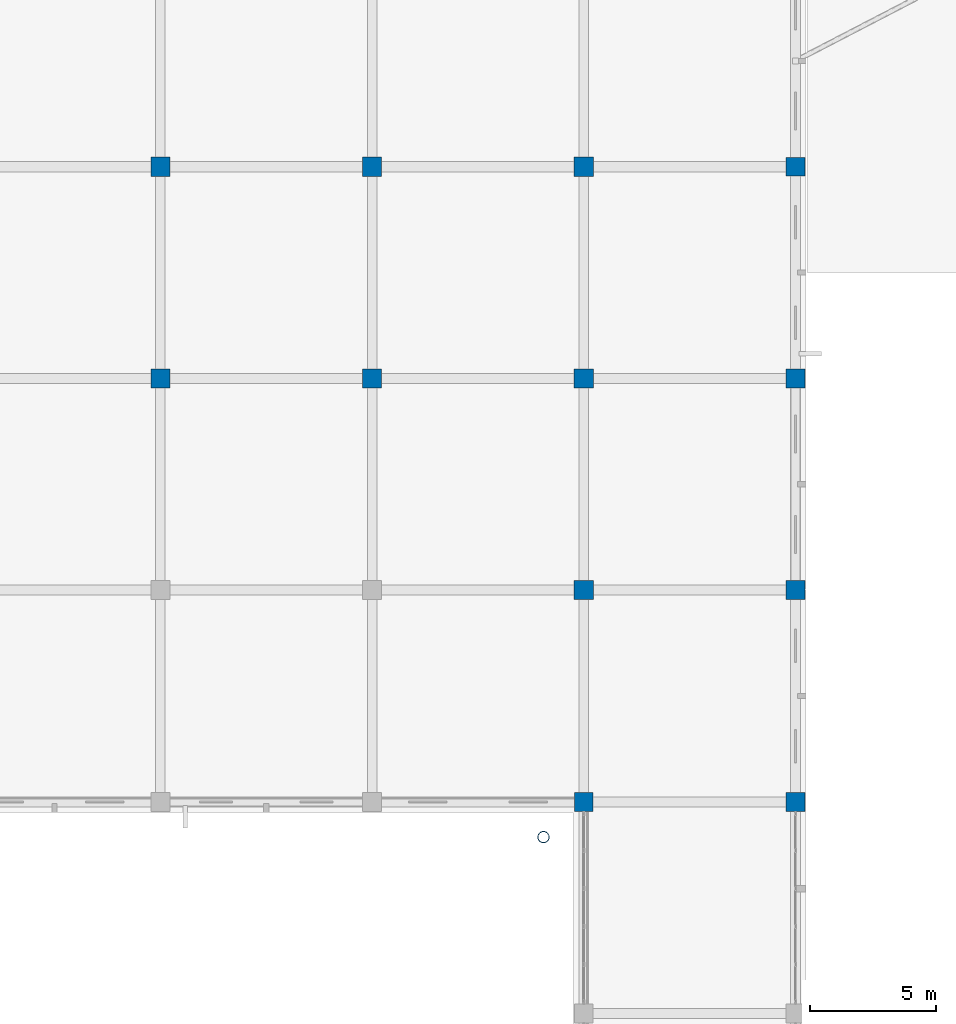
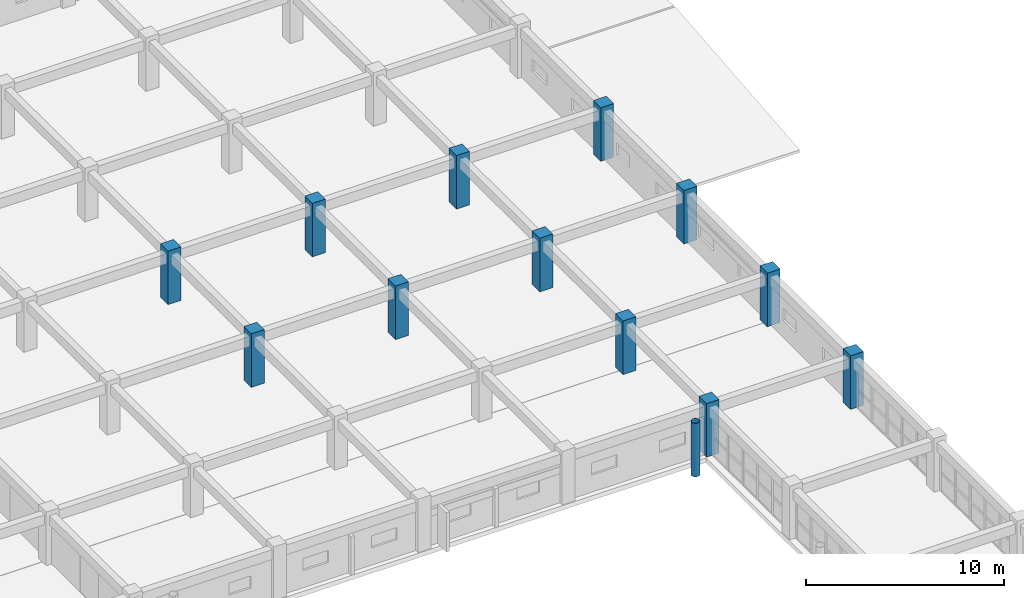
# One storey, part 26 of 200: 13 columns.
"""IFC4 building model written with IfcOpenShell, lengths in metres."""

from ifc_helpers import new_model, si_unit, direction, frame, origin, origin_2d, place, context, subcontext, project, spatial, rectangle, hollow_circle, extrude, material, material_profile, profile_set, type_object, element, save


model = new_model("IFC4")

# Units and contexts
model_context = context("Model", 3, precision=1e-05, world=origin(), true_north=direction((0.0, 1.0)))
body_context = subcontext(model_context, "Body", "Model", "MODEL_VIEW")
ifc_project = project(units=[si_unit("LENGTHUNIT", "METRE"), si_unit("AREAUNIT", "SQUARE_METRE"), si_unit("VOLUMEUNIT", "CUBIC_METRE"), si_unit("PLANEANGLEUNIT", "RADIAN"), si_unit("MASSUNIT", "GRAM", prefix="KILO")], contexts=[model_context])

# Site, building, storey
site_placement = place(None, origin())
site = spatial("IfcSite", under=ifc_project, at=site_placement, CompositionType="ELEMENT")
building_placement = place(site_placement, origin())
building = spatial("IfcBuilding", under=site, at=building_placement, Name="Trelvath General Hospital", CompositionType="ELEMENT")
storey_placement = place(building_placement, frame((0.0, 0.0, 4.800048828125)))
storey = spatial("IfcBuildingStorey", under=building, at=storey_placement, Name="L01", CompositionType="ELEMENT", Elevation=4.800048828125)

# Columns
ifc_material_1 = material(Name="Concrete C40/50", Category="concrete")
ifc_material_profile_1 = material_profile(ifc_material_1, rectangle(XDim=0.75, YDim=0.75, at=origin_2d()), Name="RC750x750")
ifc_profile_set_1 = profile_set([ifc_material_profile_1], Name="Concrete C40/50")
column_type_1 = type_object("IfcColumnType", Name="Column RC750", PredefinedType="COLUMN", material=ifc_profile_set_1)
for number, where, z_axis, x_axis, name in (
    (1, (176.39990234375, 67.199951171875, 0.0), (0.0, 0.0, 1.0), (1.0, 0.0, 0.0), "Column C-22I L01"),
    (2, (184.800048828125, 67.199951171875, 0.0), (0.0, 0.0, 1.0), (1.0, 0.0, 0.0), "Column C-23I L01"),
    (3, (184.800048828125, 75.60009765625, 0.0), (0.0, 0.0, 1.0), (1.0, 0.0, 0.0), "Column C-23J L01"),
    (4, (184.800048828125, 84.0, 0.0), (0.0, 0.0, 1.0), (1.0, 0.0, 0.0), "Column C-23K L01"),
    (5, (184.800048828125, 92.39990234375, 0.0), (0.0, 0.0, 1.0), (1.0, 0.0, 0.0), "Column C-23L L01"),
):
    element("IfcColumn", number, at=place(storey_placement, frame(where, z_axis=z_axis, x_axis=x_axis)), inside=storey, type_object=column_type_1, Name=name, PredefinedType="COLUMN", context=body_context, shape_type="SweptSolid", body=[
        extrude(rectangle(XDim=0.75, YDim=0.75, at=origin_2d()), origin(), (0.0, 0.0, 1.0), 3.300048828125),
    ])
ifc_material_2 = material(Name="Concrete C40/50", Category="concrete")
ifc_material_profile_2 = material_profile(ifc_material_2, rectangle(XDim=0.760009765625, YDim=0.760009765625, at=origin_2d()), Name="RC760x760")
ifc_profile_set_2 = profile_set([ifc_material_profile_2], Name="Concrete C40/50")
column_type_2 = type_object("IfcColumnType", Name="Column RC760", PredefinedType="COLUMN", material=ifc_profile_set_2)
for number, where, z_axis, x_axis, name in (
    (6, (159.60009765625, 84.0, 0.0), (0.0, 0.0, 1.0), (1.0, 0.0, 0.0), "Column C-20K L01"),
    (7, (159.60009765625, 92.39990234375, 0.0), (0.0, 0.0, 1.0), (1.0, 0.0, 0.0), "Column C-20L L01"),
    (8, (168.0, 84.0, 0.0), (0.0, 0.0, 1.0), (1.0, 0.0, 0.0), "Column C-21K L01"),
    (9, (168.0, 92.39990234375, 0.0), (0.0, 0.0, 1.0), (1.0, 0.0, 0.0), "Column C-21L L01"),
    (10, (176.39990234375, 75.60009765625, 0.0), (0.0, 0.0, 1.0), (1.0, 0.0, 0.0), "Column C-22J L01"),
    (11, (176.39990234375, 84.0, 0.0), (0.0, 0.0, 1.0), (1.0, 0.0, 0.0), "Column C-22K L01"),
    (12, (176.39990234375, 92.39990234375, 0.0), (0.0, 0.0, 1.0), (1.0, 0.0, 0.0), "Column C-22L L01"),
):
    element("IfcColumn", number, at=place(storey_placement, frame(where, z_axis=z_axis, x_axis=x_axis)), inside=storey, type_object=column_type_2, Name=name, PredefinedType="COLUMN", context=body_context, shape_type="SweptSolid", body=[
        extrude(rectangle(XDim=0.760009765625, YDim=0.760009765625, at=origin_2d()), origin(), (0.0, 0.0, 1.0), 3.300048828125),
    ])
ifc_material_3 = material(Name="Steel S355", Category="steel")
ifc_material_profile_3 = material_profile(ifc_material_3, hollow_circle(Radius=0.228515625, WallThickness=0.01611328125, at=origin_2d()), Name="CHS457.0x16.0")
ifc_profile_set_3 = profile_set([ifc_material_profile_3], Name="Steel S355")
column_type_3 = type_object("IfcColumnType", Name="TreeColumn CHS457", PredefinedType="COLUMN", material=ifc_profile_set_3)
column_placement = place(storey_placement, frame((174.800048828125, 65.800048828125, 0.0), z_axis=(0.0, 0.0, 1.0), x_axis=(1.0, 0.0, 0.0)))
element("IfcColumn", 13, at=column_placement, inside=storey, type_object=column_type_3, Name="Space Frame Tree Column TC-08 L01", PredefinedType="COLUMN", context=body_context, shape_type="SweptSolid", body=[
    extrude(hollow_circle(Radius=0.228515625, WallThickness=0.01611328125, at=origin_2d()), origin(), (0.0, 0.0, 1.0), 3.300048828125),
])

save(model, "model.ifc")
